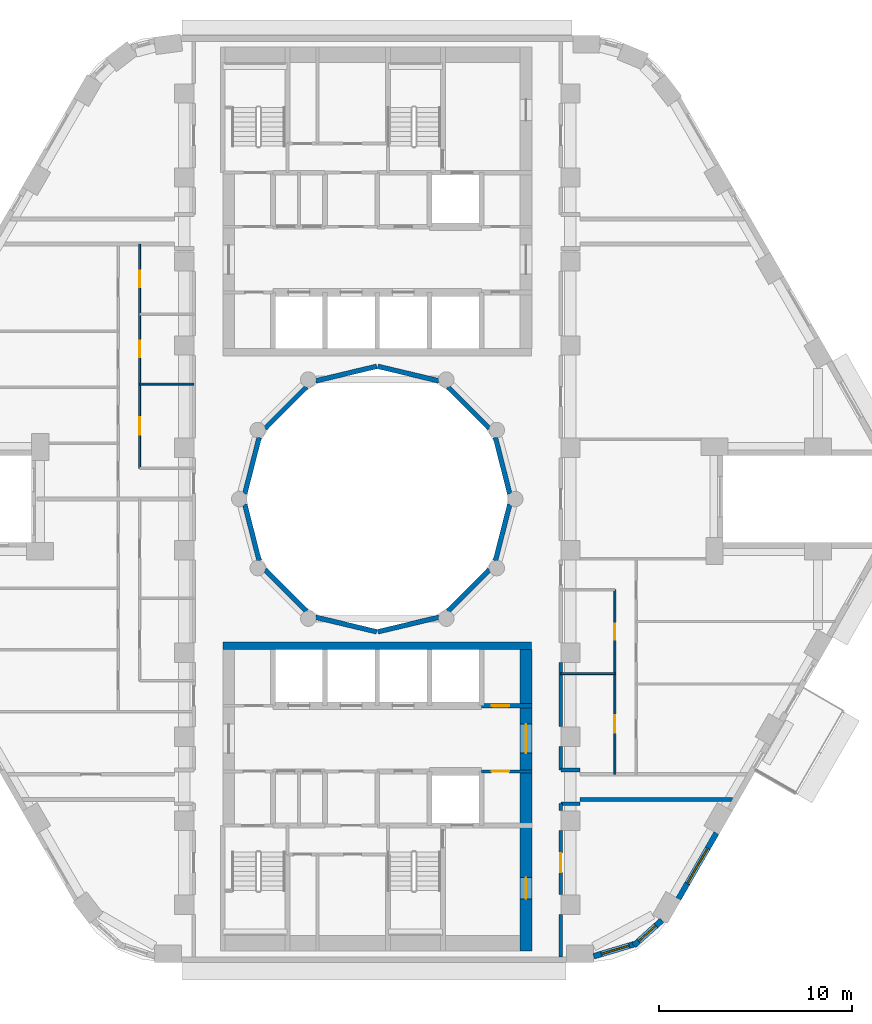
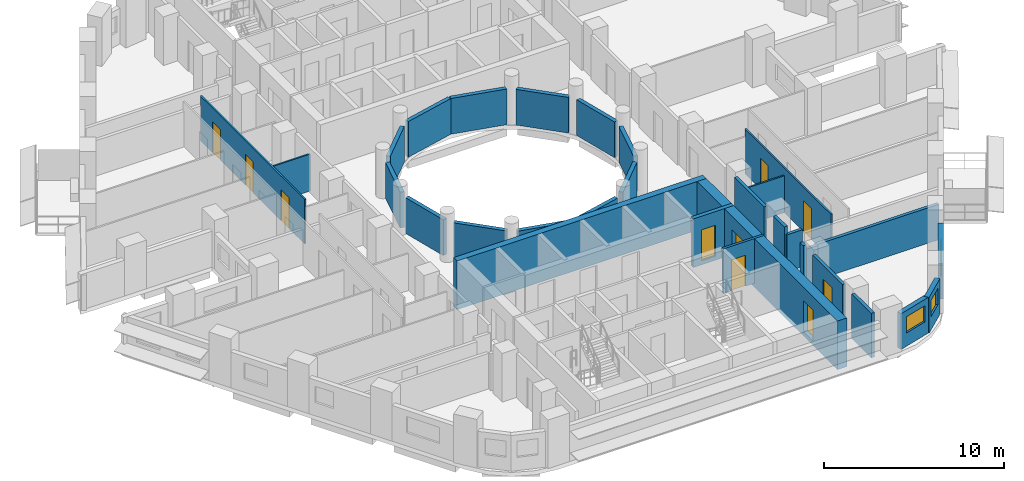
# One storey, part 5 of 14: 31 walls, 10 doors, 3 windows, 13 openings.
"""IFC4 building model written with IfcOpenShell, lengths in metres."""

from ifc_helpers import new_model, si_unit, direction, frame, frame_2d, origin, place, context, subcontext, project, spatial, rectangle, extrude, material, layer, layer_set, type_object, element, fill, save


model = new_model("IFC4")

# Units and contexts
model_context = context("Model", 3, precision=1e-05, world=origin(), true_north=direction((0.0, 1.0)))
body_context = subcontext(model_context, "Body", "Model", "MODEL_VIEW")
ifc_project = project(units=[si_unit("LENGTHUNIT", "METRE"), si_unit("AREAUNIT", "SQUARE_METRE"), si_unit("VOLUMEUNIT", "CUBIC_METRE"), si_unit("PLANEANGLEUNIT", "RADIAN"), si_unit("MASSUNIT", "GRAM", prefix="KILO")], contexts=[model_context])

# Site, building, storey
site_placement = place(None, origin())
site = spatial("IfcSite", under=ifc_project, at=site_placement, CompositionType="ELEMENT")
building_placement = place(site_placement, origin())
building = spatial("IfcBuilding", under=site, at=building_placement, Name="Nakaniwa Court", CompositionType="ELEMENT")
storey_placement = place(building_placement, frame((0.0, 0.0, 107.39990234375)))
storey = spatial("IfcBuildingStorey", under=building, at=storey_placement, Name="L28", CompositionType="ELEMENT", Elevation=107.39990234375)

# Wall
ifc_material_1 = material(Name="Acoustic double stud partition")
ifc_layer_1 = layer(ifc_material_1, 0.199951171875)
ifc_layer_set_1 = layer_set([ifc_layer_1], Name="Acoustic double stud partition")
wall_type_1 = type_object("IfcWallType", Name="Acoustic double stud partition 200", PredefinedType="PARTITIONING", material=ifc_layer_set_1)
wall_1_placement = place(storey_placement, frame((89.5, 56.300048828125, 0.0), z_axis=(0.0, 0.0, 1.0), x_axis=(0.0, 1.0, 0.0)))
element("IfcWall", 1, at=wall_1_placement, inside=storey, type_object=wall_type_1, Name="Partition PW-069", PredefinedType="PARTITIONING", context=body_context, shape_type="SweptSolid", body=[
    extrude(rectangle(XDim=2.182861328125, YDim=0.199951171875, at=frame_2d((1.09130859375, 0.0))), origin(), (0.0, 0.0, 1.0), 3.025146484375),
])

# Wall, opening, door
wall_2_placement = place(storey_placement, frame((89.5, 62.8330078125, 0.0), z_axis=(0.0, 0.0, 1.0), x_axis=(0.0, -1.0, 0.0)))
wall_2 = element("IfcWall", 2, at=wall_2_placement, inside=storey, type_object=wall_type_1, Name="Partition PW-070", PredefinedType="PARTITIONING", context=body_context, shape_type="SweptSolid", body=[
    extrude(rectangle(XDim=3.31591796875, YDim=0.199951171875, at=frame_2d((1.657958984375, 0.0))), origin(), (0.0, 0.0, 1.0), 3.025146484375),
])
opening_1_placement = place(wall_2_placement, frame((1.157958984375, 0.0, 0.0)))
opening_1 = element("IfcOpeningElement", 3, at=opening_1_placement, cuts=wall_2, Name="Opening D-02-01", PredefinedType="OPENING", context=body_context, shape_type="SweptSolid", body=[
    extrude(rectangle(XDim=1.0, YDim=2.10009765625, at=frame_2d((0.5, 1.050048828125))), frame((0.0, 0.10986328125, 0.0), z_axis=(0.0, -1.0, 0.0), x_axis=(1.0, 0.0, 0.0)), (0.0, 0.0, 1.0), 0.219970703125),
])
ifc_material_2 = material(Name="Solid core timber door set, black veneer", Category="wood")
door_type_1 = type_object("IfcDoorType", Name="Internal door 1000", OperationType="NOTDEFINED", PredefinedType="DOOR", material=ifc_material_2)
door_1_placement = place(opening_1_placement, origin())
door_1 = element("IfcDoor", 4, at=door_1_placement, inside=storey, type_object=door_type_1, Name="Door D-02-01 L28-027", OperationType="SINGLE_SWING_RIGHT", OverallHeight=2.10009765625, OverallWidth=1.0, PredefinedType="DOOR", context=body_context, shape_type="SweptSolid", body=[
    extrude(rectangle(XDim=1.0, YDim=2.10009765625, at=frame_2d((0.5, 1.050048828125))), frame((0.0, 0.02490234375, 0.0), z_axis=(0.0, -1.0, 0.0), x_axis=(1.0, 0.0, 0.0)), (0.0, 0.0, 1.0), 0.050048828125),
])
fill(opening_1, door_1)

# Walls
wall_3_placement = place(storey_placement, frame((89.5, 63.866943359375, 0.0), z_axis=(0.0, 0.0, 1.0), x_axis=(0.0, 1.0, 0.0)))
element("IfcWall", 5, at=wall_3_placement, inside=storey, type_object=wall_type_1, Name="Partition PW-071", PredefinedType="PARTITIONING", context=body_context, shape_type="SweptSolid", body=[
    extrude(rectangle(XDim=0.361083984375, YDim=0.199951171875, at=frame_2d((0.1806640625, 0.0))), origin(), (0.0, 0.0, 1.0), 3.025146484375),
])
wall_4_placement = place(storey_placement, frame((89.5, 65.971923828125, 0.0), z_axis=(0.0, 0.0, 1.0), x_axis=(0.0, 1.0, 0.0)))
element("IfcWall", 6, at=wall_4_placement, inside=storey, type_object=wall_type_1, Name="Partition PW-072", PredefinedType="PARTITIONING", context=body_context, shape_type="SweptSolid", body=[
    extrude(rectangle(XDim=1.211181640625, YDim=0.199951171875, at=frame_2d((0.60546875, 0.0))), origin(), (0.0, 0.0, 1.0), 3.025146484375),
])
wall_5_placement = place(storey_placement, frame((89.5, 68.217041015625, 0.0), z_axis=(0.0, 0.0, 1.0), x_axis=(0.0, 1.0, 0.0)))
element("IfcWall", 7, at=wall_5_placement, inside=storey, type_object=wall_type_1, Name="Partition PW-073", PredefinedType="PARTITIONING", context=body_context, shape_type="SweptSolid", body=[
    extrude(rectangle(XDim=3.31591796875, YDim=0.199951171875, at=frame_2d((1.657958984375, 0.0))), origin(), (0.0, 0.0, 1.0), 3.025146484375),
])
wall_6_placement = place(storey_placement, frame((90.5, 64.449951171875, 0.0), z_axis=(0.0, 0.0, 1.0), x_axis=(1.0, 0.0, 0.0)))
element("IfcWall", 8, at=wall_6_placement, inside=storey, type_object=wall_type_1, Name="Partition PW-090", PredefinedType="PARTITIONING", context=body_context, shape_type="SweptSolid", body=[
    extrude(rectangle(XDim=7.888671875, YDim=0.199951171875, at=frame_2d((3.9443359375, 0.0))), origin(), (0.0, 0.0, 1.0), 2.405029296875),
])
for number, where, z_axis, x_axis, name in (
    (9, (89.5, 64.22509765625, 0.0), (0.0, 0.0, 1.0), (1.0, 0.0, 0.0), "Partition PW-092"),
    (10, (89.5, 65.97509765625, 0.0), (0.0, 0.0, 1.0), (1.0, 0.0, 0.0), "Partition PW-094"),
):
    element("IfcWall", number, at=place(storey_placement, frame(where, z_axis=z_axis, x_axis=x_axis)), inside=storey, type_object=wall_type_1, Name=name, PredefinedType="PARTITIONING", context=body_context, shape_type="SweptSolid", body=[
        extrude(rectangle(XDim=1.0, YDim=0.199951171875, at=frame_2d((0.5, 0.0))), origin(), (0.0, 0.0, 1.0), 2.505126953125),
    ])

# Wall, opening, window
ifc_material_3 = material(Name="Charcoal ceramic cladding")
ifc_layer_2 = layer(ifc_material_3, 0.02, Name="Ceramic cladding")
ifc_material_4 = material(Name="Ventilated air cavity")
ifc_layer_3 = layer(ifc_material_4, 0.04, ventilated=True, Name="Ventilated cavity")
ifc_material_5 = material(Name="Mineral wool insulation")
ifc_layer_4 = layer(ifc_material_5, 0.1, Name="Insulation")
ifc_material_6 = material(Name="Cement bonded sheathing board")
ifc_layer_5 = layer(ifc_material_6, 0.012, Name="Sheathing")
ifc_material_7 = material(Name="Cold-formed galvanised stud frame with mineral wool infill")
ifc_layer_6 = layer(ifc_material_7, 0.1, Name="Stud frame")
ifc_material_8 = material(Name="Fire-rated gypsum plasterboard lining")
ifc_layer_7 = layer(ifc_material_8, 0.028, Name="Lining")
ifc_layer_set_2 = layer_set([ifc_layer_2, ifc_layer_3, ifc_layer_4, ifc_layer_5, ifc_layer_6, ifc_layer_7], Name="Charcoal ceramic faced external wall system")
wall_type_2 = type_object("IfcWallType", Name="Black ceramic faced external wall 300", PredefinedType="SOLIDWALL", material=ifc_layer_set_2)
wall_7_placement = place(storey_placement, frame((91.203369140625, 56.329833984375, 0.0), z_axis=(0.0, 0.0, 1.0), x_axis=(0.95847736903, 0.285168604614, 0.0)))
wall_7 = element("IfcWall", 11, at=wall_7_placement, inside=storey, type_object=wall_type_2, Name="L28 external wall 27", PredefinedType="SOLIDWALL", context=body_context, shape_type="SweptSolid", body=[
    extrude(rectangle(XDim=2.261962890625, YDim=0.300048828125, at=frame_2d((1.130859375, 0.0))), origin(), (0.0, 0.0, 1.0), 2.425048828125),
])
opening_2_placement = place(wall_7_placement, frame((0.418701171875, 0.0, 0.89990234375)))
opening_2 = element("IfcOpeningElement", 12, at=opening_2_placement, cuts=wall_7, Name="Opening W5.24", PredefinedType="OPENING", context=body_context, shape_type="SweptSolid", body=[
    extrude(rectangle(XDim=1.5, YDim=1.10009765625, at=frame_2d((0.75, 0.550048828125))), frame((0.0, 0.159912109375, 0.0), z_axis=(0.0, -1.0, 0.0), x_axis=(1.0, 0.0, 0.0)), (0.0, 0.0, 1.0), 0.320068359375),
])
ifc_material_9 = material(Name="Black anodised aluminium frame with dark low-E laminated double glazing", Category="aluminium")
window_type_1 = type_object("IfcWindowType", Name="Dark glass window 1500x1100 sill 900", PartitioningType="SINGLE_PANEL", PredefinedType="WINDOW", material=ifc_material_9)
window_1_placement = place(opening_2_placement, origin())
window_1 = element("IfcWindow", 13, at=window_1_placement, inside=storey, type_object=window_type_1, Name="L28 habitable room window 27-0", OverallHeight=1.10009765625, OverallWidth=1.5, PartitioningType="SINGLE_PANEL", PredefinedType="WINDOW", context=body_context, shape_type="SweptSolid", body=[
    extrude(rectangle(XDim=1.5, YDim=1.10009765625, at=frame_2d((0.75, 0.550048828125))), frame((0.0, 0.030029296875, 0.0), z_axis=(0.0, -1.0, 0.0), x_axis=(1.0, 0.0, 0.0)), (0.0, 0.0, 1.0), 0.06005859375),
])
fill(opening_2, window_1)

wall_8_placement = place(storey_placement, frame((93.283447265625, 56.88671875, 0.0), z_axis=(0.0, 0.0, 1.0), x_axis=(0.743785734967, 0.668418117992, 0.0)))
wall_8 = element("IfcWall", 14, at=wall_8_placement, inside=storey, type_object=wall_type_2, Name="L28 external wall 28", PredefinedType="SOLIDWALL", context=body_context, shape_type="SweptSolid", body=[
    extrude(rectangle(XDim=1.9501953125, YDim=0.300048828125, at=frame_2d((0.97509765625, 0.0))), origin(), (0.0, 0.0, 1.0), 2.425048828125),
])
opening_3_placement = place(wall_8_placement, frame((0.334716796875, 0.0, 0.89990234375)))
opening_3 = element("IfcOpeningElement", 15, at=opening_3_placement, cuts=wall_8, Name="Opening W6.25", PredefinedType="OPENING", context=body_context, shape_type="SweptSolid", body=[
    extrude(rectangle(XDim=1.199951171875, YDim=1.10009765625, at=frame_2d((0.60009765625, 0.550048828125))), frame((0.0, 0.159912109375, 0.0), z_axis=(0.0, -1.0, 0.0), x_axis=(1.0, 0.0, 0.0)), (0.0, 0.0, 1.0), 0.320068359375),
])
window_type_2 = type_object("IfcWindowType", Name="Dark glass window 1200x1100 sill 900", PartitioningType="SINGLE_PANEL", PredefinedType="WINDOW", material=ifc_material_9)
window_2_placement = place(opening_3_placement, origin())
window_2 = element("IfcWindow", 16, at=window_2_placement, inside=storey, type_object=window_type_2, Name="L28 habitable room window 28-0", OverallHeight=1.10009765625, OverallWidth=1.199951171875, PartitioningType="SINGLE_PANEL", PredefinedType="WINDOW", context=body_context, shape_type="SweptSolid", body=[
    extrude(rectangle(XDim=1.199951171875, YDim=1.10009765625, at=frame_2d((0.60009765625, 0.550048828125))), frame((0.0, 0.030029296875, 0.0), z_axis=(0.0, -1.0, 0.0), x_axis=(1.0, 0.0, 0.0)), (0.0, 0.0, 1.0), 0.06005859375),
])
fill(opening_3, window_2)

wall_9_placement = place(storey_placement, frame((95.59033203125, 59.30322265625, 0.0), z_axis=(0.0, 0.0, 1.0), x_axis=(0.500003583557, 0.866023334807, 0.0)))
wall_9 = element("IfcWall", 17, at=wall_9_placement, inside=storey, type_object=wall_type_2, Name="L28 external wall 29", PredefinedType="SOLIDWALL", context=body_context, shape_type="SweptSolid", body=[
    extrude(rectangle(XDim=3.93408203125, YDim=0.300048828125, at=frame_2d((1.967041015625, 0.0))), origin(), (0.0, 0.0, 1.0), 2.425048828125),
])
opening_4_placement = place(wall_9_placement, frame((0.9169921875, 0.0, 0.89990234375)))
opening_4 = element("IfcOpeningElement", 18, at=opening_4_placement, cuts=wall_9, Name="Opening W7.26", PredefinedType="OPENING", context=body_context, shape_type="SweptSolid", body=[
    extrude(rectangle(XDim=2.10009765625, YDim=1.10009765625, at=frame_2d((1.050048828125, 0.550048828125))), frame((0.0, 0.159912109375, 0.0), z_axis=(0.0, -1.0, 0.0), x_axis=(1.0, 0.0, 0.0)), (0.0, 0.0, 1.0), 0.320068359375),
])
window_type_3 = type_object("IfcWindowType", Name="Dark glass window 2100x1100 sill 900", PartitioningType="SINGLE_PANEL", PredefinedType="WINDOW", material=ifc_material_9)
window_3_placement = place(opening_4_placement, origin())
window_3 = element("IfcWindow", 19, at=window_3_placement, inside=storey, type_object=window_type_3, Name="L28 habitable room window 29-0", OverallHeight=1.10009765625, OverallWidth=2.10009765625, PartitioningType="SINGLE_PANEL", PredefinedType="WINDOW", context=body_context, shape_type="SweptSolid", body=[
    extrude(rectangle(XDim=2.10009765625, YDim=1.10009765625, at=frame_2d((1.050048828125, 0.550048828125))), frame((0.0, 0.030029296875, 0.0), z_axis=(0.0, -1.0, 0.0), x_axis=(1.0, 0.0, 0.0)), (0.0, 0.0, 1.0), 0.06005859375),
])
fill(opening_4, window_3)

# Wall, opening, door
ifc_material_10 = material(Name="Blockwork partition", Category="masonry")
ifc_layer_8 = layer(ifc_material_10, 0.14990234375)
ifc_layer_set_3 = layer_set([ifc_layer_8], Name="Blockwork partition")
wall_type_3 = type_object("IfcWallType", Name="Blockwork partition 150", PredefinedType="PARTITIONING", material=ifc_layer_set_3)
wall_10_placement = place(storey_placement, frame((88.0, 65.89990234375, 0.0), z_axis=(0.0, 0.0, 1.0), x_axis=(-1.0, 0.0, 0.0)))
wall_10 = element("IfcWall", 20, at=wall_10_placement, inside=storey, type_object=wall_type_3, Name="Partition PW-052", PredefinedType="PARTITIONING", context=body_context, shape_type="SweptSolid", body=[
    extrude(rectangle(XDim=2.60302734375, YDim=0.14990234375, at=frame_2d((1.301513671875, 0.0))), origin(), (0.0, 0.0, 1.0), 3.025146484375),
])
opening_5_placement = place(wall_10_placement, frame((1.175048828125, 0.0, 0.0)))
opening_5 = element("IfcOpeningElement", 21, at=opening_5_placement, cuts=wall_10, Name="Opening D-05-14", PredefinedType="OPENING", context=body_context, shape_type="SweptSolid", body=[
    extrude(rectangle(XDim=0.89990234375, YDim=2.10009765625, at=frame_2d((0.449951171875, 1.050048828125))), frame((0.0, 0.0849609375, 0.0), z_axis=(0.0, -1.0, 0.0), x_axis=(1.0, 0.0, 0.0)), (0.0, 0.0, 1.0), 0.169921875),
])
ifc_material_11 = material(Name="Fire rated steel door set", Category="steel")
door_type_2 = type_object("IfcDoorType", Name="Service room door 900", OperationType="NOTDEFINED", PredefinedType="DOOR", material=ifc_material_11)
door_2_placement = place(opening_5_placement, origin())
door_2 = element("IfcDoor", 22, at=door_2_placement, inside=storey, type_object=door_type_2, Name="Door D-05-14 L28-021", OperationType="SINGLE_SWING_RIGHT", OverallHeight=2.10009765625, OverallWidth=0.89990234375, PredefinedType="DOOR", context=body_context, shape_type="SweptSolid", body=[
    extrude(rectangle(XDim=0.89990234375, YDim=2.10009765625, at=frame_2d((0.449951171875, 1.050048828125))), frame((0.0, 0.02490234375, 0.0), z_axis=(0.0, -1.0, 0.0), x_axis=(1.0, 0.0, 0.0)), (0.0, 0.0, 1.0), 0.050048828125),
])
fill(opening_5, door_2)

# Walls
ifc_layer_9 = layer(ifc_material_3, 0.02, Name="Ceramic cladding")
ifc_layer_10 = layer(ifc_material_4, 0.04, ventilated=True, Name="Ventilated cavity")
ifc_layer_11 = layer(ifc_material_5, 0.075, Name="Insulation")
ifc_layer_12 = layer(ifc_material_6, 0.012, Name="Sheathing")
ifc_layer_13 = layer(ifc_material_7, 0.075, Name="Stud frame")
ifc_layer_14 = layer(ifc_material_8, 0.028, Name="Lining")
ifc_layer_set_4 = layer_set([ifc_layer_9, ifc_layer_10, ifc_layer_11, ifc_layer_12, ifc_layer_13, ifc_layer_14], Name="Charcoal ceramic faced external wall system")
wall_type_4 = type_object("IfcWallType", Name="Charcoal ceramic faced well wall 250", PredefinedType="SOLIDWALL", material=ifc_layer_set_4)
wall_11_placement = place(storey_placement, frame((86.8603515625, 79.72998046875, 0.0), z_axis=(0.0, 0.0, 1.0), x_axis=(-0.247055971283, -0.969001211069, 0.0)))
element("IfcWall", 23, at=wall_11_placement, inside=storey, type_object=wall_type_4, Name="L28 external wall 36", PredefinedType="SOLIDWALL", context=body_context, shape_type="SweptSolid", body=[
    extrude(rectangle(XDim=3.010009765625, YDim=0.25, at=frame_2d((1.5048828125, 0.0))), origin(), (0.0, 0.0, 1.0), 2.425048828125),
])
wall_12_placement = place(storey_placement, frame((85.8056640625, 76.339111328125, 0.0), z_axis=(0.0, 0.0, 1.0), x_axis=(-0.707106781187, -0.707106781187, 0.0)))
element("IfcWall", 24, at=wall_12_placement, inside=storey, type_object=wall_type_4, Name="L28 external wall 37", PredefinedType="SOLIDWALL", context=body_context, shape_type="SweptSolid", body=[
    extrude(rectangle(XDim=3.033203125, YDim=0.25, at=frame_2d((1.5166015625, 0.0))), origin(), (0.0, 0.0, 1.0), 2.425048828125),
])
for number, where, z_axis, x_axis, name in (
    (25, (83.186279296875, 73.880615234375, 0.0), (0.0, 0.0, 1.0), (-0.972773113459, -0.231759508395, 0.0), "L28 external wall 38"),
    (26, (79.970947265625, 73.12841796875, 0.0), (0.0, 0.0, 1.0), (-0.972773113459, 0.231759508395, 0.0), "L28 external wall 39"),
):
    element("IfcWall", number, at=place(storey_placement, frame(where, z_axis=z_axis, x_axis=x_axis)), inside=storey, type_object=wall_type_4, Name=name, PredefinedType="SOLIDWALL", context=body_context, shape_type="SweptSolid", body=[
        extrude(rectangle(XDim=3.24560546875, YDim=0.25, at=frame_2d((1.622802734375, 0.0))), origin(), (0.0, 0.0, 1.0), 2.425048828125),
    ])
wall_13_placement = place(storey_placement, frame((76.339111328125, 74.1943359375, 0.0), z_axis=(0.0, 0.0, 1.0), x_axis=(-0.707106781187, 0.707106781187, 0.0)))
element("IfcWall", 27, at=wall_13_placement, inside=storey, type_object=wall_type_4, Name="L28 external wall 40", PredefinedType="SOLIDWALL", context=body_context, shape_type="SweptSolid", body=[
    extrude(rectangle(XDim=3.033203125, YDim=0.25, at=frame_2d((1.5166015625, 0.0))), origin(), (0.0, 0.0, 1.0), 2.425048828125),
])
for number, where, z_axis, x_axis, name in (
    (28, (73.88330078125, 76.813232421875, 0.0), (0.0, 0.0, 1.0), (-0.247055971283, 0.969001211069, 0.0), "L28 external wall 41"),
    (29, (73.1396484375, 80.27001953125, 0.0), (0.0, 0.0, 1.0), (0.247055971283, 0.969001211069, 0.0), "L28 external wall 42"),
):
    element("IfcWall", number, at=place(storey_placement, frame(where, z_axis=z_axis, x_axis=x_axis)), inside=storey, type_object=wall_type_4, Name=name, PredefinedType="SOLIDWALL", context=body_context, shape_type="SweptSolid", body=[
        extrude(rectangle(XDim=3.010009765625, YDim=0.25, at=frame_2d((1.5048828125, 0.0))), origin(), (0.0, 0.0, 1.0), 2.425048828125),
    ])
wall_14_placement = place(storey_placement, frame((74.1943359375, 83.660888671875, 0.0), z_axis=(0.0, 0.0, 1.0), x_axis=(0.707106781187, 0.707106781187, 0.0)))
element("IfcWall", 30, at=wall_14_placement, inside=storey, type_object=wall_type_4, Name="L28 external wall 43", PredefinedType="SOLIDWALL", context=body_context, shape_type="SweptSolid", body=[
    extrude(rectangle(XDim=3.033203125, YDim=0.25, at=frame_2d((1.5166015625, 0.0))), origin(), (0.0, 0.0, 1.0), 2.425048828125),
])
for number, where, z_axis, x_axis, name in (
    (31, (76.813720703125, 86.119384765625, 0.0), (0.0, 0.0, 1.0), (0.972773113459, 0.231759508395, 0.0), "L28 external wall 44"),
    (32, (80.029052734375, 86.87158203125, 0.0), (0.0, 0.0, 1.0), (0.972773113459, -0.231759508395, 0.0), "L28 external wall 45"),
):
    element("IfcWall", number, at=place(storey_placement, frame(where, z_axis=z_axis, x_axis=x_axis)), inside=storey, type_object=wall_type_4, Name=name, PredefinedType="SOLIDWALL", context=body_context, shape_type="SweptSolid", body=[
        extrude(rectangle(XDim=3.24560546875, YDim=0.25, at=frame_2d((1.622802734375, 0.0))), origin(), (0.0, 0.0, 1.0), 2.425048828125),
    ])
wall_15_placement = place(storey_placement, frame((83.660888671875, 85.8056640625, 0.0), z_axis=(0.0, 0.0, 1.0), x_axis=(0.707106781187, -0.707106781187, 0.0)))
element("IfcWall", 33, at=wall_15_placement, inside=storey, type_object=wall_type_4, Name="L28 external wall 46", PredefinedType="SOLIDWALL", context=body_context, shape_type="SweptSolid", body=[
    extrude(rectangle(XDim=3.033203125, YDim=0.25, at=frame_2d((1.5166015625, 0.0))), origin(), (0.0, 0.0, 1.0), 2.425048828125),
])
wall_16_placement = place(storey_placement, frame((86.11669921875, 83.186767578125, 0.0), z_axis=(0.0, 0.0, 1.0), x_axis=(0.247055971283, -0.969001211069, 0.0)))
element("IfcWall", 34, at=wall_16_placement, inside=storey, type_object=wall_type_4, Name="L28 external wall 47", PredefinedType="SOLIDWALL", context=body_context, shape_type="SweptSolid", body=[
    extrude(rectangle(XDim=3.010009765625, YDim=0.25, at=frame_2d((1.5048828125, 0.0))), origin(), (0.0, 0.0, 1.0), 2.425048828125),
])

# Wall, openings, doors
ifc_material_12 = material(Name="Concrete C80/100", Category="concrete")
ifc_layer_15 = layer(ifc_material_12, 0.60009765625)
ifc_layer_set_5 = layer_set([ifc_layer_15], Name="Concrete C80/100")
wall_type_5 = type_object("IfcWallType", Name="Concrete core side wall 600 C80", PredefinedType="SHEAR", material=ifc_layer_set_5)
wall_17_placement = place(storey_placement, frame((87.699951171875, 72.199951171875, -0.27490234375), z_axis=(0.0, 0.0, 1.0), x_axis=(0.0, -1.0, 0.0)))
wall_17 = element("IfcWall", 35, at=wall_17_placement, inside=storey, type_object=wall_type_5, Name="Core wall SW-49", PredefinedType="SHEAR", context=body_context, shape_type="SweptSolid", body=[
    extrude(rectangle(XDim=15.599853515625, YDim=0.60009765625, at=frame_2d((7.7998046875, 0.0))), origin(), (0.0, 0.0, 1.0), 3.300048828125),
])
opening_6_placement = place(wall_17_placement, frame((3.85009765625, 0.0, 0.27490234375)))
opening_6 = element("IfcOpeningElement", 36, at=opening_6_placement, cuts=wall_17, Name="Opening D-07-03", PredefinedType="OPENING", context=body_context, shape_type="SweptSolid", body=[
    extrude(rectangle(XDim=1.5, YDim=2.10009765625, at=frame_2d((0.75, 1.050048828125))), frame((0.0, 0.31005859375, 0.0), z_axis=(0.0, -1.0, 0.0), x_axis=(1.0, 0.0, 0.0)), (0.0, 0.0, 1.0), 0.6201171875),
])
opening_7_placement = place(wall_17_placement, frame((11.800048828125, 0.0, 0.27490234375)))
opening_7 = element("IfcOpeningElement", 37, at=opening_7_placement, cuts=wall_17, Name="Opening D-10-02", PredefinedType="OPENING", context=body_context, shape_type="SweptSolid", body=[
    extrude(rectangle(XDim=1.10009765625, YDim=2.10009765625, at=frame_2d((0.550048828125, 1.050048828125))), frame((0.0, 0.31005859375, 0.0), z_axis=(0.0, -1.0, 0.0), x_axis=(1.0, 0.0, 0.0)), (0.0, 0.0, 1.0), 0.6201171875),
])
door_type_3 = type_object("IfcDoorType", Name="Firefighting lobby door 1100", OperationType="NOTDEFINED", PredefinedType="DOOR", material=ifc_material_11)
door_3_placement = place(opening_7_placement, origin())
door_3 = element("IfcDoor", 38, at=door_3_placement, inside=storey, type_object=door_type_3, Name="Door D-10-02 L28-059", OperationType="SINGLE_SWING_RIGHT", OverallHeight=2.10009765625, OverallWidth=1.10009765625, PredefinedType="DOOR", context=body_context, shape_type="SweptSolid", body=[
    extrude(rectangle(XDim=1.10009765625, YDim=2.10009765625, at=frame_2d((0.550048828125, 1.050048828125))), frame((0.0, 0.02490234375, 0.0), z_axis=(0.0, -1.0, 0.0), x_axis=(1.0, 0.0, 0.0)), (0.0, 0.0, 1.0), 0.050048828125),
])
fill(opening_7, door_3)
ifc_material_13 = material(Name="Glazed fire rated steel double door set", Category="steel")
door_type_4 = type_object("IfcDoorType", Name="Lobby double door 1500", OperationType="NOTDEFINED", PredefinedType="DOOR", material=ifc_material_13)
door_4_placement = place(opening_6_placement, origin())
door_4 = element("IfcDoor", 39, at=door_4_placement, inside=storey, type_object=door_type_4, Name="Door D-07-03 L28-057", OperationType="DOUBLE_DOOR_SINGLE_SWING", OverallHeight=2.10009765625, OverallWidth=1.5, PredefinedType="DOOR", context=body_context, shape_type="SweptSolid", body=[
    extrude(rectangle(XDim=1.5, YDim=2.10009765625, at=frame_2d((0.75, 1.050048828125))), frame((0.0, 0.02490234375, 0.0), z_axis=(0.0, -1.0, 0.0), x_axis=(1.0, 0.0, 0.0)), (0.0, 0.0, 1.0), 0.050048828125),
])
fill(opening_6, door_4)

# Wall
ifc_layer_16 = layer(ifc_material_12, 0.39990234375)
ifc_layer_set_6 = layer_set([ifc_layer_16], Name="Concrete C80/100")
wall_type_6 = type_object("IfcWallType", Name="Concrete core well wall 400 C80", PredefinedType="SHEAR", material=ifc_layer_set_6)
wall_18_placement = place(storey_placement, frame((72.00390625, 72.39990234375, -0.27490234375), z_axis=(0.0, 0.0, 1.0), x_axis=(1.0, 0.0, 0.0)))
element("IfcWall", 40, at=wall_18_placement, inside=storey, type_object=wall_type_6, Name="Core wall SW-134", PredefinedType="SHEAR", context=body_context, shape_type="SweptSolid", body=[
    extrude(rectangle(XDim=15.9921875, YDim=0.39990234375, at=frame_2d((7.99609375, 0.0))), origin(), (0.0, 0.0, 1.0), 3.300048828125),
])

# Wall, opening, door
ifc_layer_17 = layer(ifc_material_12, 0.25)
ifc_layer_set_7 = layer_set([ifc_layer_17], Name="Concrete C80/100")
wall_type_7 = type_object("IfcWallType", Name="Concrete shaft wall 250 C80", PredefinedType="SHEAR", material=ifc_layer_set_7)
wall_19_placement = place(storey_placement, frame((85.39990234375, 69.300048828125, -0.27490234375), z_axis=(0.0, 0.0, 1.0), x_axis=(1.0, 0.0, 0.0)))
wall_19 = element("IfcWall", 41, at=wall_19_placement, inside=storey, type_object=wall_type_7, Name="Core wall SW-48", PredefinedType="SHEAR", context=body_context, shape_type="SweptSolid", body=[
    extrude(rectangle(XDim=2.60009765625, YDim=0.25, at=frame_2d((1.300048828125, 0.0))), origin(), (0.0, 0.0, 1.0), 3.300048828125),
])
opening_8_placement = place(wall_19_placement, frame((0.52490234375, 0.0, 0.27490234375)))
opening_8 = element("IfcOpeningElement", 42, at=opening_8_placement, cuts=wall_19, Name="Opening D-05-10", PredefinedType="OPENING", context=body_context, shape_type="SweptSolid", body=[
    extrude(rectangle(XDim=0.89990234375, YDim=2.10009765625, at=frame_2d((0.449951171875, 1.050048828125))), frame((0.0, 0.135009765625, 0.0), z_axis=(0.0, -1.0, 0.0), x_axis=(1.0, 0.0, 0.0)), (0.0, 0.0, 1.0), 0.27001953125),
])
door_5_placement = place(opening_8_placement, origin())
door_5 = element("IfcDoor", 43, at=door_5_placement, inside=storey, type_object=door_type_2, Name="Door D-05-10 L28-015", OperationType="SINGLE_SWING_RIGHT", OverallHeight=2.10009765625, OverallWidth=0.89990234375, PredefinedType="DOOR", context=body_context, shape_type="SweptSolid", body=[
    extrude(rectangle(XDim=0.89990234375, YDim=2.10009765625, at=frame_2d((0.449951171875, 1.050048828125))), frame((0.0, 0.02490234375, 0.0), z_axis=(0.0, -1.0, 0.0), x_axis=(1.0, 0.0, 0.0)), (0.0, 0.0, 1.0), 0.050048828125),
])
fill(opening_8, door_5)

# Wall
ifc_material_14 = material(Name="Single stud plasterboard partition")
ifc_layer_18 = layer(ifc_material_14, 0.10009765625)
ifc_layer_set_8 = layer_set([ifc_layer_18], Name="Single stud plasterboard partition")
wall_type_8 = type_object("IfcWallType", Name="Single stud plasterboard partition 100", PredefinedType="PARTITIONING", material=ifc_layer_set_8)
wall_20_placement = place(storey_placement, frame((89.5, 70.958984375, 0.0), z_axis=(0.0, 0.0, 1.0), x_axis=(1.0, 0.0, 0.0)))
element("IfcWall", 44, at=wall_20_placement, inside=storey, type_object=wall_type_8, Name="Partition PW-109", PredefinedType="PARTITIONING", context=body_context, shape_type="SweptSolid", body=[
    extrude(rectangle(XDim=2.800048828125, YDim=0.10009765625, at=frame_2d((1.39990234375, 0.0))), origin(), (0.0, 0.0, 1.0), 2.505126953125),
])

# Wall, openings, doors
wall_21_placement = place(storey_placement, frame((92.300048828125, 65.75, 0.0), z_axis=(0.0, 0.0, 1.0), x_axis=(0.0, 1.0, 0.0)))
wall_21 = element("IfcWall", 45, at=wall_21_placement, inside=storey, type_object=wall_type_8, Name="Partition PW-110", PredefinedType="PARTITIONING", context=body_context, shape_type="SweptSolid", body=[
    extrude(rectangle(XDim=9.550048828125, YDim=0.10009765625, at=frame_2d((4.77490234375, 0.0))), origin(), (0.0, 0.0, 1.0), 3.025146484375),
])
opening_9_placement = place(wall_21_placement, frame((2.155029296875, 0.0, 0.0)))
opening_9 = element("IfcOpeningElement", 46, at=opening_9_placement, cuts=wall_21, Name="Opening D-33-01", PredefinedType="OPENING", context=body_context, shape_type="SweptSolid", body=[
    extrude(rectangle(XDim=0.89990234375, YDim=2.10009765625, at=frame_2d((0.449951171875, 1.050048828125))), frame((0.0, 0.06005859375, 0.0), z_axis=(0.0, -1.0, 0.0), x_axis=(1.0, 0.0, 0.0)), (0.0, 0.0, 1.0), 0.1201171875),
])
opening_10_placement = place(wall_21_placement, frame((6.955078125, 0.0, 0.0)))
opening_10 = element("IfcOpeningElement", 47, at=opening_10_placement, cuts=wall_21, Name="Opening D-03-01", PredefinedType="OPENING", context=body_context, shape_type="SweptSolid", body=[
    extrude(rectangle(XDim=0.85009765625, YDim=2.10009765625, at=frame_2d((0.425048828125, 1.050048828125))), frame((0.0, 0.06005859375, 0.0), z_axis=(0.0, -1.0, 0.0), x_axis=(1.0, 0.0, 0.0)), (0.0, 0.0, 1.0), 0.1201171875),
])
ifc_material_15 = material(Name="Moisture sealed timber door set", Category="wood")
door_type_5 = type_object("IfcDoorType", Name="Bathroom door 850", OperationType="NOTDEFINED", PredefinedType="DOOR", material=ifc_material_15)
door_6_placement = place(opening_10_placement, origin())
door_6 = element("IfcDoor", 48, at=door_6_placement, inside=storey, type_object=door_type_5, Name="Door D-03-01 L28-030", OperationType="SINGLE_SWING_LEFT", OverallHeight=2.10009765625, OverallWidth=0.85009765625, PredefinedType="DOOR", context=body_context, shape_type="SweptSolid", body=[
    extrude(rectangle(XDim=0.85009765625, YDim=2.10009765625, at=frame_2d((0.425048828125, 1.050048828125))), frame((0.0, 0.02490234375, 0.0), z_axis=(0.0, -1.0, 0.0), x_axis=(1.0, 0.0, 0.0)), (0.0, 0.0, 1.0), 0.050048828125),
])
fill(opening_10, door_6)
door_type_6 = type_object("IfcDoorType", Name="Internal door 900", OperationType="NOTDEFINED", PredefinedType="DOOR", material=ifc_material_2)
door_7_placement = place(opening_9_placement, origin())
door_7 = element("IfcDoor", 49, at=door_7_placement, inside=storey, type_object=door_type_6, Name="Door D-33-01 L28-029", OperationType="SINGLE_SWING_RIGHT", OverallHeight=2.10009765625, OverallWidth=0.89990234375, PredefinedType="DOOR", context=body_context, shape_type="SweptSolid", body=[
    extrude(rectangle(XDim=0.89990234375, YDim=2.10009765625, at=frame_2d((0.449951171875, 1.050048828125))), frame((0.0, 0.02490234375, 0.0), z_axis=(0.0, -1.0, 0.0), x_axis=(1.0, 0.0, 0.0)), (0.0, 0.0, 1.0), 0.050048828125),
])
fill(opening_9, door_7)

wall_22_placement = place(storey_placement, frame((67.699951171875, 93.199951171875, 0.0), z_axis=(0.0, 0.0, 1.0), x_axis=(0.0, -1.0, 0.0)))
wall_22 = element("IfcWall", 50, at=wall_22_placement, inside=storey, type_object=wall_type_8, Name="Partition PW-120", PredefinedType="PARTITIONING", context=body_context, shape_type="SweptSolid", body=[
    extrude(rectangle(XDim=11.599853515625, YDim=0.10009765625, at=frame_2d((5.7998046875, 0.0))), origin(), (0.0, 0.0, 1.0), 3.025146484375),
])
opening_11_placement = place(wall_22_placement, frame((8.97509765625, 0.0, 0.0)))
opening_11 = element("IfcOpeningElement", 51, at=opening_11_placement, cuts=wall_22, Name="Opening D-33-09", PredefinedType="OPENING", context=body_context, shape_type="SweptSolid", body=[
    extrude(rectangle(XDim=0.89990234375, YDim=2.10009765625, at=frame_2d((0.449951171875, 1.050048828125))), frame((0.0, 0.06005859375, 0.0), z_axis=(0.0, -1.0, 0.0), x_axis=(1.0, 0.0, 0.0)), (0.0, 0.0, 1.0), 0.1201171875),
])
opening_12_placement = place(wall_22_placement, frame((5.011962890625, 0.0, 0.0)))
opening_12 = element("IfcOpeningElement", 52, at=opening_12_placement, cuts=wall_22, Name="Opening D-03-03", PredefinedType="OPENING", context=body_context, shape_type="SweptSolid", body=[
    extrude(rectangle(XDim=0.85009765625, YDim=2.10009765625, at=frame_2d((0.425048828125, 1.050048828125))), frame((0.0, 0.06005859375, 0.0), z_axis=(0.0, -1.0, 0.0), x_axis=(1.0, 0.0, 0.0)), (0.0, 0.0, 1.0), 0.1201171875),
])
opening_13_placement = place(wall_22_placement, frame((1.386962890625, 0.0, 0.0)))
opening_13 = element("IfcOpeningElement", 53, at=opening_13_placement, cuts=wall_22, Name="Opening D-03-04", PredefinedType="OPENING", context=body_context, shape_type="SweptSolid", body=[
    extrude(rectangle(XDim=0.85009765625, YDim=2.10009765625, at=frame_2d((0.425048828125, 1.050048828125))), frame((0.0, 0.06005859375, 0.0), z_axis=(0.0, -1.0, 0.0), x_axis=(1.0, 0.0, 0.0)), (0.0, 0.0, 1.0), 0.1201171875),
])
door_8_placement = place(opening_12_placement, origin())
door_8 = element("IfcDoor", 54, at=door_8_placement, inside=storey, type_object=door_type_5, Name="Door D-03-03 L28-046", OperationType="SINGLE_SWING_LEFT", OverallHeight=2.10009765625, OverallWidth=0.85009765625, PredefinedType="DOOR", context=body_context, shape_type="SweptSolid", body=[
    extrude(rectangle(XDim=0.85009765625, YDim=2.10009765625, at=frame_2d((0.425048828125, 1.050048828125))), frame((0.0, 0.02490234375, 0.0), z_axis=(0.0, -1.0, 0.0), x_axis=(1.0, 0.0, 0.0)), (0.0, 0.0, 1.0), 0.050048828125),
])
fill(opening_12, door_8)
door_9_placement = place(opening_13_placement, origin())
door_9 = element("IfcDoor", 55, at=door_9_placement, inside=storey, type_object=door_type_5, Name="Door D-03-04 L28-047", OperationType="SINGLE_SWING_RIGHT", OverallHeight=2.10009765625, OverallWidth=0.85009765625, PredefinedType="DOOR", context=body_context, shape_type="SweptSolid", body=[
    extrude(rectangle(XDim=0.85009765625, YDim=2.10009765625, at=frame_2d((0.425048828125, 1.050048828125))), frame((0.0, 0.02490234375, 0.0), z_axis=(0.0, -1.0, 0.0), x_axis=(1.0, 0.0, 0.0)), (0.0, 0.0, 1.0), 0.050048828125),
])
fill(opening_13, door_9)
door_10_placement = place(opening_11_placement, origin())
door_10 = element("IfcDoor", 56, at=door_10_placement, inside=storey, type_object=door_type_6, Name="Door D-33-09 L28-045", OperationType="SINGLE_SWING_RIGHT", OverallHeight=2.10009765625, OverallWidth=0.89990234375, PredefinedType="DOOR", context=body_context, shape_type="SweptSolid", body=[
    extrude(rectangle(XDim=0.89990234375, YDim=2.10009765625, at=frame_2d((0.449951171875, 1.050048828125))), frame((0.0, 0.02490234375, 0.0), z_axis=(0.0, -1.0, 0.0), x_axis=(1.0, 0.0, 0.0)), (0.0, 0.0, 1.0), 0.050048828125),
])
fill(opening_11, door_10)

# Wall
wall_23_placement = place(storey_placement, frame((67.699951171875, 85.949951171875, 0.0), z_axis=(0.0, 0.0, 1.0), x_axis=(1.0, 0.0, 0.0)))
element("IfcWall", 57, at=wall_23_placement, inside=storey, type_object=wall_type_8, Name="Partition PW-126", PredefinedType="PARTITIONING", context=body_context, shape_type="SweptSolid", body=[
    extrude(rectangle(XDim=2.800048828125, YDim=0.10009765625, at=frame_2d((1.39990234375, 0.0))), origin(), (0.0, 0.0, 1.0), 2.505126953125),
])

save(model, "model.ifc")
